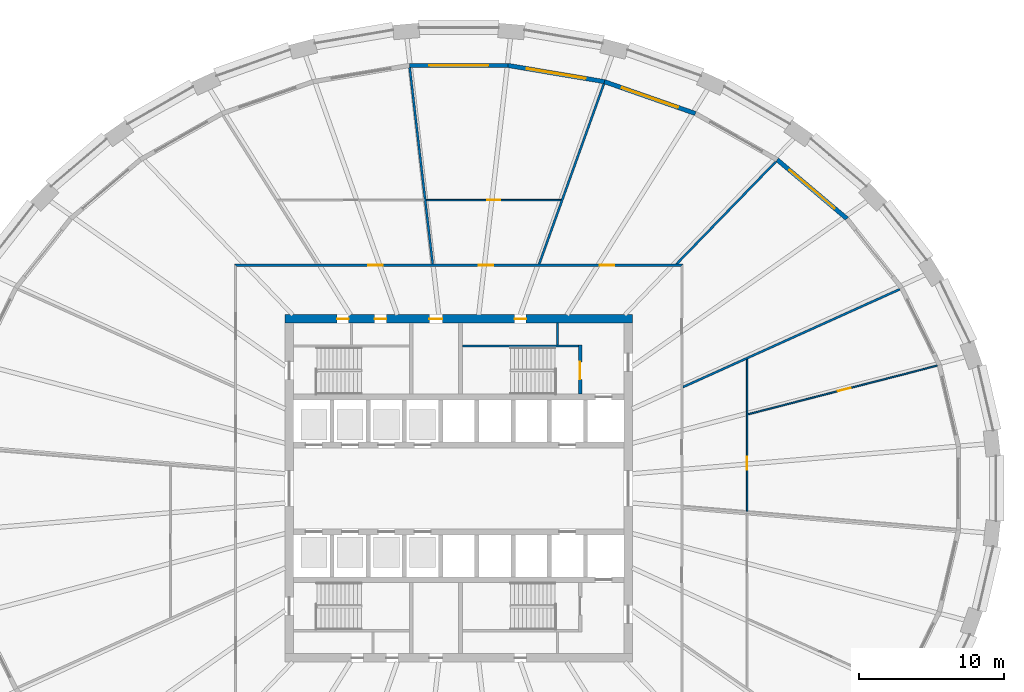
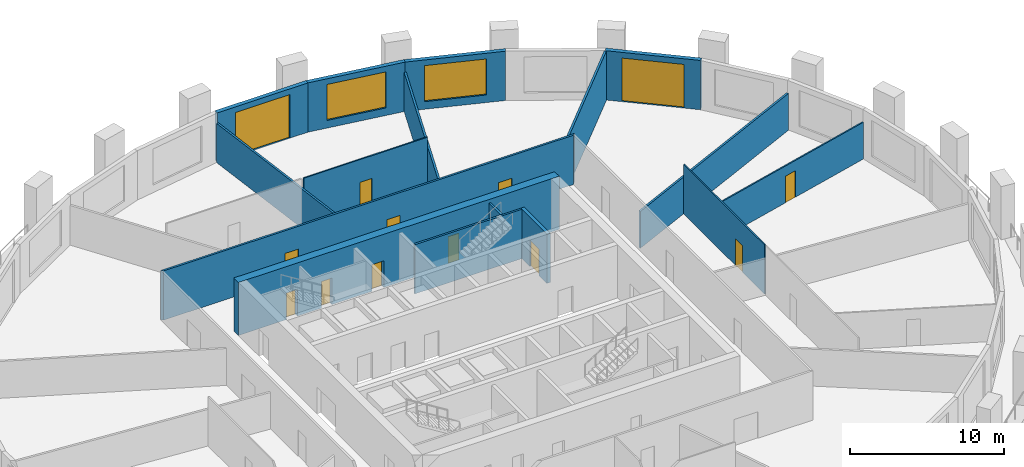
# One storey, part 6 of 10: 16 walls, 13 doors, 2 windows, 15 openings.
"""IFC4 building model written with IfcOpenShell, lengths in metres."""

from ifc_helpers import new_model, si_unit, direction, frame, frame_2d, origin, place, context, subcontext, project, spatial, polyline, rectangle, outline, extrude, material, layer, layer_set, type_object, element, fill, save


model = new_model("IFC4")

# Units and contexts
model_context = context("Model", 3, precision=1e-05, world=origin(), true_north=direction((0.0, 1.0)))
body_context = subcontext(model_context, "Body", "Model", "MODEL_VIEW")
ifc_project = project(units=[si_unit("LENGTHUNIT", "METRE"), si_unit("AREAUNIT", "SQUARE_METRE"), si_unit("VOLUMEUNIT", "CUBIC_METRE"), si_unit("PLANEANGLEUNIT", "RADIAN"), si_unit("MASSUNIT", "GRAM", prefix="KILO")], contexts=[model_context])

# Site, building, storey
site_placement = place(None, origin())
site = spatial("IfcSite", under=ifc_project, at=site_placement, CompositionType="ELEMENT")
building_placement = place(site_placement, origin())
building = spatial("IfcBuilding", under=site, at=building_placement, Name="Halqa Exchange Tower", CompositionType="ELEMENT")
storey_placement = place(building_placement, frame((0.0, 0.0, 57.10009765625)))
storey = spatial("IfcBuildingStorey", under=building, at=storey_placement, Name="L12", CompositionType="ELEMENT", Elevation=57.10009765625)

# Wall, openings, doors
ifc_material_1 = material(Name="Fire-rated gypsum board")
ifc_layer_1 = layer(ifc_material_1, 0.14990234375)
ifc_layer_set_1 = layer_set([ifc_layer_1], Name="Fire-rated gypsum board")
wall_type_1 = type_object("IfcWallType", Name="Fire partition EI 60 150", PredefinedType="PARTITIONING", material=ifc_layer_set_1)
wall_1_placement = place(storey_placement, frame((-15.47509765625, 15.39990234375, 0.0), z_axis=(0.0, 0.0, 1.0), x_axis=(1.0, 0.0, 0.0)))
wall_1 = element("IfcWall", 1, at=wall_1_placement, inside=storey, type_object=wall_type_1, Name="L12-PWL-009", PredefinedType="PARTITIONING", context=body_context, shape_type="SweptSolid", body=[
    extrude(outline(polyline([(0.150146484375, -0.074951171875), (2.065673828125, -0.074951171875), (3.9814453125, -0.074951171875), (5.89697265625, -0.074951171875), (7.8125, -0.074951171875), (9.728271484375, -0.074951171875), (11.643798828125, -0.074951171875), (13.5595703125, -0.074951171875), (15.47509765625, -0.074951171875), (17.390625, -0.074951171875), (19.306396484375, -0.074951171875), (21.221923828125, -0.074951171875), (23.1376953125, -0.074951171875), (25.05322265625, -0.074951171875), (26.96875, -0.074951171875), (28.884521484375, -0.074951171875), (30.800048828125, -0.074951171875), (30.949951171875, 0.074951171875), (29.015625, 0.074951171875), (27.081298828125, 0.074951171875), (25.14697265625, 0.074951171875), (23.21240234375, 0.074951171875), (21.278076171875, 0.074951171875), (19.34375, 0.074951171875), (17.409423828125, 0.074951171875), (15.47509765625, 0.074951171875), (13.540771484375, 0.074951171875), (11.6064453125, 0.074951171875), (9.672119140625, 0.074951171875), (7.73779296875, 0.074951171875), (5.80322265625, 0.074951171875), (3.868896484375, 0.074951171875), (1.9345703125, 0.074951171875), (0.000244140625, 0.074951171875), (0.150146484375, -0.074951171875)])), origin(), (0.0, 0.0, 1.0), 3.89990234375),
])
opening_1_placement = place(wall_1_placement, frame((16.840087890625, 0.0, 0.0)))
opening_1 = element("IfcOpeningElement", 2, at=opening_1_placement, cuts=wall_1, Name="Opening 03-01", PredefinedType="OPENING", context=body_context, shape_type="SweptSolid", body=[
    extrude(rectangle(XDim=1.0, YDim=2.10009765625, at=frame_2d((0.5, 1.050048828125))), frame((0.0, 0.0869140625, 0.0), z_axis=(0.0, -1.0, 0.0), x_axis=(1.0, 0.0, 0.0)), (0.0, 0.0, 1.0), 0.173828125),
])
opening_2_placement = place(wall_1_placement, frame((9.215087890625, 0.0, 0.0)))
opening_2 = element("IfcOpeningElement", 3, at=opening_2_placement, cuts=wall_1, Name="Opening 03-02", PredefinedType="OPENING", context=body_context, shape_type="SweptSolid", body=[
    extrude(rectangle(XDim=1.0, YDim=2.10009765625, at=frame_2d((0.5, 1.050048828125))), frame((0.0, 0.0869140625, 0.0), z_axis=(0.0, -1.0, 0.0), x_axis=(1.0, 0.0, 0.0)), (0.0, 0.0, 1.0), 0.173828125),
])
opening_3_placement = place(wall_1_placement, frame((25.2099609375, 0.0, 0.0)))
opening_3 = element("IfcOpeningElement", 4, at=opening_3_placement, cuts=wall_1, Name="Opening 03-13", PredefinedType="OPENING", context=body_context, shape_type="SweptSolid", body=[
    extrude(rectangle(XDim=1.0, YDim=2.10009765625, at=frame_2d((0.5, 1.050048828125))), frame((0.0, 0.0869140625, 0.0), z_axis=(0.0, -1.0, 0.0), x_axis=(1.0, 0.0, 0.0)), (0.0, 0.0, 1.0), 0.173828125),
])
ifc_material_2 = material(Name="Steel fire door leaf", Category="steel")
door_type_1 = type_object("IfcDoorType", Name="Fire door FD30S 1000 x 2100", OperationType="SINGLE_SWING_LEFT", PredefinedType="DOOR", material=ifc_material_2)
door_1_placement = place(opening_1_placement, origin())
door_1 = element("IfcDoor", 5, at=door_1_placement, inside=storey, type_object=door_type_1, Name="L12-IDR-001", OperationType="SINGLE_SWING_RIGHT", OverallHeight=2.10009765625, OverallWidth=1.0, PredefinedType="DOOR", context=body_context, shape_type="SweptSolid", body=[
    extrude(rectangle(XDim=1.0, YDim=2.10009765625, at=frame_2d((0.5, 1.050048828125))), frame((0.0, 0.02490234375, 0.0), z_axis=(0.0, -1.0, 0.0), x_axis=(1.0, 0.0, 0.0)), (0.0, 0.0, 1.0), 0.050048828125),
])
fill(opening_1, door_1)
door_2_placement = place(opening_2_placement, origin())
door_2 = element("IfcDoor", 6, at=door_2_placement, inside=storey, type_object=door_type_1, Name="L12-IDR-002", OperationType="SINGLE_SWING_RIGHT", OverallHeight=2.10009765625, OverallWidth=1.0, PredefinedType="DOOR", context=body_context, shape_type="SweptSolid", body=[
    extrude(rectangle(XDim=1.0, YDim=2.10009765625, at=frame_2d((0.5, 1.050048828125))), frame((0.0, 0.02490234375, 0.0), z_axis=(0.0, -1.0, 0.0), x_axis=(1.0, 0.0, 0.0)), (0.0, 0.0, 1.0), 0.050048828125),
])
fill(opening_2, door_2)
door_3_placement = place(opening_3_placement, origin())
door_3 = element("IfcDoor", 7, at=door_3_placement, inside=storey, type_object=door_type_1, Name="L12-IDR-013", OperationType="SINGLE_SWING_LEFT", OverallHeight=2.10009765625, OverallWidth=1.0, PredefinedType="DOOR", context=body_context, shape_type="SweptSolid", body=[
    extrude(rectangle(XDim=1.0, YDim=2.10009765625, at=frame_2d((0.5, 1.050048828125))), frame((0.0, 0.02490234375, 0.0), z_axis=(0.0, -1.0, 0.0), x_axis=(1.0, 0.0, 0.0)), (0.0, 0.0, 1.0), 0.050048828125),
])
fill(opening_3, door_3)

# Walls
wall_2_placement = place(storey_placement, frame((-3.385009765625, 29.0400390625, 0.0), z_axis=(0.0, 0.0, 1.0), x_axis=(0.116139488934, -0.993232912821, 0.0)))
element("IfcWall", 8, at=wall_2_placement, inside=storey, type_object=wall_type_1, Name="L12-PWL-012", PredefinedType="PARTITIONING", context=body_context, shape_type="SweptSolid", body=[
    extrude(outline(polyline([(0.0, -0.074951171875), (1.82861328125, -0.074951171875), (3.6572265625, -0.074951171875), (5.48583984375, -0.074951171875), (7.314453125, -0.074951171875), (9.143310546875, -0.074951171875), (9.14453125, -0.0634765625), (9.24267578125, -0.074951171875), (10.71142578125, -0.074951171875), (12.18017578125, -0.074951171875), (13.648681640625, -0.074951171875), (13.666015625, 0.0732421875), (13.666015625, 0.074951171875), (12.19775390625, 0.074951171875), (10.729736328125, 0.074951171875), (9.261474609375, 0.074951171875), (9.261474609375, 0.074951171875), (9.260986328125, 0.074951171875), (7.40966796875, 0.074951171875), (5.558349609375, 0.074951171875), (3.70703125, 0.074951171875), (1.855712890625, 0.074951171875), (0.00439453125, 0.074951171875), (0.0, 0.038330078125), (0.0, -0.074951171875)])), origin(), (0.0, 0.0, 1.0), 3.099853515625),
])
wall_3_placement = place(storey_placement, frame((5.537841796875, 15.449951171875, 0.0), z_axis=(0.0, 0.0, 1.0), x_axis=(0.337991057854, 0.941149321208, 0.0)))
element("IfcWall", 9, at=wall_3_placement, inside=storey, type_object=wall_type_1, Name="L12-PWL-016", PredefinedType="PARTITIONING", context=body_context, shape_type="SweptSolid", body=[
    extrude(outline(polyline([(13.259033203125, -0.074951171875), (13.259033203125, -0.040771484375), (13.2587890625, -0.000244140625), (13.2451171875, 0.074951171875), (11.546875, 0.074951171875), (9.8486328125, 0.074951171875), (8.150146484375, 0.074951171875), (6.451904296875, 0.074951171875), (4.753662109375, 0.074951171875), (4.660400390625, 0.04150390625), (4.648193359375, 0.074951171875), (3.098876953125, 0.074951171875), (1.54931640625, 0.074951171875), (0.0, 0.074951171875), (0.0, 0.07421875), (0.053466796875, -0.074951171875), (1.93994140625, -0.074951171875), (3.826416015625, -0.074951171875), (5.713134765625, -0.074951171875), (7.599609375, -0.074951171875), (9.486083984375, -0.074951171875), (11.37255859375, -0.074951171875), (13.259033203125, -0.074951171875)])), origin(), (0.0, 0.0, 1.0), 3.10986328125),
])
wall_4_placement = place(storey_placement, frame((14.972412109375, 15.423095703125, 0.0), z_axis=(0.0, 0.0, 1.0), x_axis=(0.696324469813, 0.717727129722, 0.0)))
element("IfcWall", 10, at=wall_4_placement, inside=storey, type_object=wall_type_1, Name="L12-PWL-017", PredefinedType="PARTITIONING", context=body_context, shape_type="SweptSolid", body=[
    extrude(outline(polyline([(0.0, 0.074951171875), (0.0, 0.074462890625), (0.14501953125, -0.074951171875), (2.100830078125, -0.074951171875), (4.056640625, -0.074951171875), (6.012451171875, -0.074951171875), (7.96826171875, -0.074951171875), (9.924072265625, -0.074951171875), (9.924072265625, 0.074951171875), (7.939208984375, 0.074951171875), (5.954345703125, 0.074951171875), (3.9697265625, 0.074951171875), (1.98486328125, 0.074951171875), (0.0, 0.074951171875)])), origin(), (0.0, 0.0, 1.0), 3.89990234375),
])
wall_5_placement = place(storey_placement, frame((15.444091796875, 6.97998046875, 0.0), z_axis=(0.0, 0.0, 1.0), x_axis=(0.911545333682, 0.411199592221, 0.0)))
element("IfcWall", 11, at=wall_5_placement, inside=storey, type_object=wall_type_1, Name="L12-PWL-021", PredefinedType="PARTITIONING", context=body_context, shape_type="SweptSolid", body=[
    extrude(outline(polyline([(0.0, -0.074951171875), (1.599853515625, -0.074951171875), (3.19970703125, -0.074951171875), (4.799560546875, -0.074951171875), (4.800537109375, -0.072998046875), (4.80517578125, -0.074951171875), (6.747314453125, -0.074951171875), (8.689697265625, -0.074951171875), (10.632080078125, -0.074951171875), (12.574462890625, -0.074951171875), (14.516845703125, -0.074951171875), (16.459228515625, -0.074951171875), (16.459228515625, -0.072021484375), (16.45654296875, 0.01171875), (16.44091796875, 0.074951171875), (14.62158203125, 0.074951171875), (12.80224609375, 0.074951171875), (10.983154296875, 0.074951171875), (9.163818359375, 0.074951171875), (7.3447265625, 0.074951171875), (5.525390625, 0.074951171875), (3.706298828125, 0.074951171875), (1.886962890625, 0.074951171875), (0.067626953125, 0.074951171875), (0.0, -0.074951171875)])), origin(), (0.0, 0.0, 1.0), 2.909912109375),
])

# Wall, opening, door
ifc_material_3 = material(Name="Gypsum board")
ifc_layer_2 = layer(ifc_material_3, 0.10009765625)
ifc_layer_set_2 = layer_set([ifc_layer_2], Name="Gypsum board")
wall_type_2 = type_object("IfcWallType", Name="Partition 100 gypsum", PredefinedType="PARTITIONING", material=ifc_layer_set_2)
wall_6_placement = place(storey_placement, frame((-2.24658203125, 19.89990234375, 0.0), z_axis=(0.0, 0.0, 1.0), x_axis=(1.0, 0.0, 0.0)))
wall_6 = element("IfcWall", 12, at=wall_6_placement, inside=storey, type_object=wall_type_2, Name="L12-PWL-013", PredefinedType="PARTITIONING", context=body_context, shape_type="SweptSolid", body=[
    extrude(outline(polyline([(0.01171875, -0.050048828125), (1.866455078125, -0.050048828125), (3.720947265625, -0.050048828125), (5.57568359375, -0.050048828125), (7.43017578125, -0.050048828125), (9.284912109375, -0.050048828125), (9.320556640625, 0.04931640625), (9.320556640625, 0.050048828125), (7.45654296875, 0.050048828125), (5.59228515625, 0.050048828125), (3.728271484375, 0.050048828125), (1.864013671875, 0.050048828125), (0.0, 0.050048828125), (0.01171875, -0.050048828125)])), origin(), (0.0, 0.0, 1.0), 3.89990234375),
])
opening_4_placement = place(wall_6_placement, frame((4.20654296875, 0.0, 0.0)))
opening_4 = element("IfcOpeningElement", 13, at=opening_4_placement, cuts=wall_6, Name="Opening 03-14", PredefinedType="OPENING", context=body_context, shape_type="SweptSolid", body=[
    extrude(rectangle(XDim=0.89990234375, YDim=2.10009765625, at=frame_2d((0.449951171875, 1.050048828125))), frame((0.0, 0.06201171875, 0.0), z_axis=(0.0, -1.0, 0.0), x_axis=(1.0, 0.0, 0.0)), (0.0, 0.0, 1.0), 0.1240234375),
])
ifc_material_4 = material(Name="Timber door leaf", Category="wood")
door_type_2 = type_object("IfcDoorType", Name="Door 900 x 2100", OperationType="SINGLE_SWING_LEFT", PredefinedType="DOOR", material=ifc_material_4)
door_4_placement = place(opening_4_placement, frame((0.89990234375, 0.0, 0.0), z_axis=(0.0, 0.0, 1.0), x_axis=(-1.0, 0.0, 0.0)))
door_4 = element("IfcDoor", 14, at=door_4_placement, inside=storey, type_object=door_type_2, Name="L12-IDR-014", OperationType="SINGLE_SWING_LEFT", OverallHeight=2.10009765625, OverallWidth=0.89990234375, PredefinedType="DOOR", context=body_context, shape_type="SweptSolid", body=[
    extrude(rectangle(XDim=0.89990234375, YDim=2.10009765625, at=frame_2d((0.449951171875, 1.050048828125))), frame((0.0, 0.02490234375, 0.0), z_axis=(0.0, -1.0, 0.0), x_axis=(1.0, 0.0, 0.0)), (0.0, 0.0, 1.0), 0.050048828125),
])
fill(opening_4, door_4)

wall_7_placement = place(storey_placement, frame((19.89990234375, -1.5849609375, 0.0), z_axis=(0.0, 0.0, 1.0), x_axis=(0.0, 1.0, 0.0)))
wall_7 = element("IfcWall", 15, at=wall_7_placement, inside=storey, type_object=wall_type_2, Name="L12-PWL-024", PredefinedType="PARTITIONING", context=body_context, shape_type="SweptSolid", body=[
    extrude(outline(polyline([(0.0, -0.050048828125), (1.685546875, -0.050048828125), (3.370849609375, -0.050048828125), (5.056396484375, -0.050048828125), (6.74169921875, -0.050048828125), (6.7490234375, -0.048095703125), (6.74951171875, -0.050048828125), (8.632080078125, -0.050048828125), (10.514892578125, -0.050048828125), (10.514892578125, -0.04931640625), (10.469970703125, 0.050048828125), (8.726318359375, 0.050048828125), (6.982666015625, 0.050048828125), (5.239013671875, 0.050048828125), (3.495361328125, 0.050048828125), (1.751708984375, 0.050048828125), (0.008056640625, 0.050048828125), (0.0, -0.045654296875), (0.0, -0.050048828125)])), origin(), (0.0, 0.0, 1.0), 3.89990234375),
])
opening_5_placement = place(wall_7_placement, frame((2.85498046875, 0.0, 0.0)))
opening_5 = element("IfcOpeningElement", 16, at=opening_5_placement, cuts=wall_7, Name="Opening 03-20", PredefinedType="OPENING", context=body_context, shape_type="SweptSolid", body=[
    extrude(rectangle(XDim=0.89990234375, YDim=2.10009765625, at=frame_2d((0.449951171875, 1.050048828125))), frame((0.0, 0.06201171875, 0.0), z_axis=(0.0, -1.0, 0.0), x_axis=(1.0, 0.0, 0.0)), (0.0, 0.0, 1.0), 0.1240234375),
])
door_5_placement = place(opening_5_placement, origin())
door_5 = element("IfcDoor", 17, at=door_5_placement, inside=storey, type_object=door_type_2, Name="L12-IDR-020", OperationType="SINGLE_SWING_RIGHT", OverallHeight=2.10009765625, OverallWidth=0.89990234375, PredefinedType="DOOR", context=body_context, shape_type="SweptSolid", body=[
    extrude(rectangle(XDim=0.89990234375, YDim=2.10009765625, at=frame_2d((0.449951171875, 1.050048828125))), frame((0.0, 0.02490234375, 0.0), z_axis=(0.0, -1.0, 0.0), x_axis=(1.0, 0.0, 0.0)), (0.0, 0.0, 1.0), 0.050048828125),
])
fill(opening_5, door_5)

wall_8_placement = place(storey_placement, frame((19.937744140625, 5.109619140625, 0.0), z_axis=(0.0, 0.0, 1.0), x_axis=(0.968505877435, 0.248990693348, 0.0)))
wall_8 = element("IfcWall", 18, at=wall_8_placement, inside=storey, type_object=wall_type_2, Name="L12-PWL-025", PredefinedType="PARTITIONING", context=body_context, shape_type="SweptSolid", body=[
    extrude(outline(polyline([(13.515380859375, -0.050048828125), (13.515380859375, 0.00341796875), (13.505615234375, 0.050048828125), (11.580078125, 0.050048828125), (9.654296875, 0.050048828125), (7.728515625, 0.050048828125), (5.802734375, 0.050048828125), (3.876953125, 0.050048828125), (1.951171875, 0.050048828125), (0.025634765625, 0.050048828125), (0.0, -0.04931640625), (0.0, -0.050048828125), (1.9306640625, -0.050048828125), (3.861572265625, -0.050048828125), (5.792236328125, -0.050048828125), (7.72314453125, -0.050048828125), (9.65380859375, -0.050048828125), (11.584716796875, -0.050048828125), (13.515380859375, -0.050048828125)])), origin(), (0.0, 0.0, 1.0), 2.909912109375),
])
opening_6_placement = place(wall_8_placement, frame((6.439208984375, 0.0, 0.0)))
opening_6 = element("IfcOpeningElement", 19, at=opening_6_placement, cuts=wall_8, Name="Opening 03-21", PredefinedType="OPENING", context=body_context, shape_type="SweptSolid", body=[
    extrude(rectangle(XDim=0.89990234375, YDim=2.10009765625, at=frame_2d((0.449951171875, 1.050048828125))), frame((0.0, 0.06201171875, 0.0), z_axis=(0.0, -1.0, 0.0), x_axis=(1.0, 0.0, 0.0)), (0.0, 0.0, 1.0), 0.1240234375),
])
door_6_placement = place(opening_6_placement, origin())
door_6 = element("IfcDoor", 20, at=door_6_placement, inside=storey, type_object=door_type_2, Name="L12-IDR-021", OperationType="SINGLE_SWING_RIGHT", OverallHeight=2.10009765625, OverallWidth=0.89990234375, PredefinedType="DOOR", context=body_context, shape_type="SweptSolid", body=[
    extrude(rectangle(XDim=0.89990234375, YDim=2.10009765625, at=frame_2d((0.449951171875, 1.050048828125))), frame((0.0, 0.02490234375, 0.0), z_axis=(0.0, -1.0, 0.0), x_axis=(1.0, 0.0, 0.0)), (0.0, 0.0, 1.0), 0.050048828125),
])
fill(opening_6, door_6)

# Wall
ifc_layer_3 = layer(ifc_material_3, 0.14990234375)
ifc_layer_set_3 = layer_set([ifc_layer_3], Name="Gypsum board")
wall_type_3 = type_object("IfcWallType", Name="Penthouse riser wall 150 gypsum", PredefinedType="PARTITIONING", material=ifc_layer_set_3)
wall_9_placement = place(storey_placement, frame((6.824951171875, 9.89990234375, 0.0), z_axis=(0.0, 0.0, 1.0), x_axis=(0.0, 1.0, 0.0)))
element("IfcWall", 21, at=wall_9_placement, inside=storey, type_object=wall_type_3, Name="Firefighting lobby west wall N", PredefinedType="PARTITIONING", context=body_context, shape_type="SweptSolid", body=[
    extrude(rectangle(XDim=1.5, YDim=0.14990234375, at=frame_2d((0.75, 0.0))), origin(), (0.0, 0.0, 1.0), 3.89990234375),
])

# Wall, openings, doors
ifc_material_5 = material(Name="Concrete C80/95", Category="concrete")
ifc_layer_4 = layer(ifc_material_5, 0.60009765625)
ifc_layer_set_4 = layer_set([ifc_layer_4], Name="Concrete C80/95")
wall_type_4 = type_object("IfcWallType", Name="RC core wall 600 C80/95", PredefinedType="SHEAR", material=ifc_layer_set_4)
wall_10_placement = place(storey_placement, frame((-12.0, 11.699951171875, 0.0), z_axis=(0.0, 0.0, 1.0), x_axis=(1.0, 0.0, 0.0)))
wall_10 = element("IfcWall", 22, at=wall_10_placement, inside=storey, type_object=wall_type_4, Name="Core wall north", PredefinedType="SHEAR", context=body_context, shape_type="SweptSolid", body=[
    extrude(rectangle(XDim=24.0, YDim=0.60009765625, at=frame_2d((12.0, 0.0))), origin(), (0.0, 0.0, 1.0), 4.199951171875),
])
opening_7_placement = place(wall_10_placement, frame((9.97509765625, 0.0, 0.0)))
opening_7 = element("IfcOpeningElement", 23, at=opening_7_placement, cuts=wall_10, Name="Opening T03-C21", PredefinedType="OPENING", context=body_context, shape_type="SweptSolid", body=[
    extrude(rectangle(XDim=0.89990234375, YDim=2.10009765625, at=frame_2d((0.449951171875, 1.050048828125))), frame((0.0, 0.31201171875, 0.0), z_axis=(0.0, -1.0, 0.0), x_axis=(1.0, 0.0, 0.0)), (0.0, 0.0, 1.0), 0.6240234375),
])
opening_8_placement = place(wall_10_placement, frame((3.60009765625, 0.0, 0.0)))
opening_8 = element("IfcOpeningElement", 24, at=opening_8_placement, cuts=wall_10, Name="Opening T03-C22", PredefinedType="OPENING", context=body_context, shape_type="SweptSolid", body=[
    extrude(rectangle(XDim=0.800048828125, YDim=2.10009765625, at=frame_2d((0.39990234375, 1.050048828125))), frame((0.0, 0.31201171875, 0.0), z_axis=(0.0, -1.0, 0.0), x_axis=(1.0, 0.0, 0.0)), (0.0, 0.0, 1.0), 0.6240234375),
])
opening_9_placement = place(wall_10_placement, frame((6.199951171875, 0.0, 0.0)))
opening_9 = element("IfcOpeningElement", 25, at=opening_9_placement, cuts=wall_10, Name="Opening T03-C23", PredefinedType="OPENING", context=body_context, shape_type="SweptSolid", body=[
    extrude(rectangle(XDim=0.800048828125, YDim=2.10009765625, at=frame_2d((0.39990234375, 1.050048828125))), frame((0.0, 0.31201171875, 0.0), z_axis=(0.0, -1.0, 0.0), x_axis=(1.0, 0.0, 0.0)), (0.0, 0.0, 1.0), 0.6240234375),
])
opening_10_placement = place(wall_10_placement, frame((15.85009765625, 0.0, 0.0)))
opening_10 = element("IfcOpeningElement", 26, at=opening_10_placement, cuts=wall_10, Name="Opening T03-C24", PredefinedType="OPENING", context=body_context, shape_type="SweptSolid", body=[
    extrude(rectangle(XDim=0.800048828125, YDim=2.10009765625, at=frame_2d((0.39990234375, 1.050048828125))), frame((0.0, 0.31201171875, 0.0), z_axis=(0.0, -1.0, 0.0), x_axis=(1.0, 0.0, 0.0)), (0.0, 0.0, 1.0), 0.6240234375),
])
ifc_material_6 = material(Name="Timber fire door leaf", Category="wood")
door_type_3 = type_object("IfcDoorType", Name="Core room door FD30 900 x 2100", OperationType="SINGLE_SWING_LEFT", PredefinedType="DOOR", material=ifc_material_6)
door_7_placement = place(opening_7_placement, frame((0.89990234375, 0.0, 0.0), z_axis=(0.0, 0.0, 1.0), x_axis=(-1.0, 0.0, 0.0)))
door_7 = element("IfcDoor", 27, at=door_7_placement, inside=storey, type_object=door_type_3, Name="Core room door", OperationType="SINGLE_SWING_LEFT", OverallHeight=2.10009765625, OverallWidth=0.89990234375, PredefinedType="DOOR", context=body_context, shape_type="SweptSolid", body=[
    extrude(rectangle(XDim=0.89990234375, YDim=2.10009765625, at=frame_2d((0.449951171875, 1.050048828125))), frame((0.0, 0.02490234375, 0.0), z_axis=(0.0, -1.0, 0.0), x_axis=(1.0, 0.0, 0.0)), (0.0, 0.0, 1.0), 0.050048828125),
])
fill(opening_7, door_7)
door_type_4 = type_object("IfcDoorType", Name="Riser door FD60 800 x 2100", OperationType="SINGLE_SWING_LEFT", PredefinedType="DOOR", material=ifc_material_2)
door_8_placement = place(opening_8_placement, frame((0.800048828125, 0.0, 0.0), z_axis=(0.0, 0.0, 1.0), x_axis=(-1.0, 0.0, 0.0)))
door_8 = element("IfcDoor", 28, at=door_8_placement, inside=storey, type_object=door_type_4, Name="Core room door", OperationType="SINGLE_SWING_RIGHT", OverallHeight=2.10009765625, OverallWidth=0.800048828125, PredefinedType="DOOR", context=body_context, shape_type="SweptSolid", body=[
    extrude(rectangle(XDim=0.800048828125, YDim=2.10009765625, at=frame_2d((0.39990234375, 1.050048828125))), frame((0.0, 0.02490234375, 0.0), z_axis=(0.0, -1.0, 0.0), x_axis=(1.0, 0.0, 0.0)), (0.0, 0.0, 1.0), 0.050048828125),
])
fill(opening_8, door_8)
door_9_placement = place(opening_9_placement, frame((0.800048828125, 0.0, 0.0), z_axis=(0.0, 0.0, 1.0), x_axis=(-1.0, 0.0, 0.0)))
door_9 = element("IfcDoor", 29, at=door_9_placement, inside=storey, type_object=door_type_4, Name="Core room door", OperationType="SINGLE_SWING_LEFT", OverallHeight=2.10009765625, OverallWidth=0.800048828125, PredefinedType="DOOR", context=body_context, shape_type="SweptSolid", body=[
    extrude(rectangle(XDim=0.800048828125, YDim=2.10009765625, at=frame_2d((0.39990234375, 1.050048828125))), frame((0.0, 0.02490234375, 0.0), z_axis=(0.0, -1.0, 0.0), x_axis=(1.0, 0.0, 0.0)), (0.0, 0.0, 1.0), 0.050048828125),
])
fill(opening_9, door_9)
door_10_placement = place(opening_10_placement, frame((0.800048828125, 0.0, 0.0), z_axis=(0.0, 0.0, 1.0), x_axis=(-1.0, 0.0, 0.0)))
door_10 = element("IfcDoor", 30, at=door_10_placement, inside=storey, type_object=door_type_4, Name="Core room door", OperationType="SINGLE_SWING_RIGHT", OverallHeight=2.10009765625, OverallWidth=0.800048828125, PredefinedType="DOOR", context=body_context, shape_type="SweptSolid", body=[
    extrude(rectangle(XDim=0.800048828125, YDim=2.10009765625, at=frame_2d((0.39990234375, 1.050048828125))), frame((0.0, 0.02490234375, 0.0), z_axis=(0.0, -1.0, 0.0), x_axis=(1.0, 0.0, 0.0)), (0.0, 0.0, 1.0), 0.050048828125),
])
fill(opening_10, door_10)

# Wall
ifc_material_7 = material(Name="Concrete C30/37", Category="concrete")
ifc_layer_5 = layer(ifc_material_7, 0.14990234375)
ifc_layer_set_5 = layer_set([ifc_layer_5], Name="Concrete C30/37")
wall_type_5 = type_object("IfcWallType", Name="RC stair wall 150 C30/37", PredefinedType="SHEAR", material=ifc_layer_set_5)
wall_11_placement = place(storey_placement, frame((0.25, 9.824951171875, 0.0), z_axis=(0.0, 0.0, 1.0), x_axis=(1.0, 0.0, 0.0)))
element("IfcWall", 31, at=wall_11_placement, inside=storey, type_object=wall_type_5, Name="Stair ST2 north wall N", PredefinedType="SHEAR", context=body_context, shape_type="SweptSolid", body=[
    extrude(rectangle(XDim=8.0, YDim=0.14990234375, at=frame_2d((4.0, 0.0))), origin(), (0.0, 0.0, 1.0), 3.89990234375),
])

# Wall, opening, door
ifc_layer_6 = layer(ifc_material_7, 0.25)
ifc_layer_set_6 = layer_set([ifc_layer_6], Name="Concrete C30/37")
wall_type_6 = type_object("IfcWallType", Name="RC stair wall 250 C30/37", PredefinedType="SHEAR", material=ifc_layer_set_6)
wall_12_placement = place(storey_placement, frame((8.375, 6.5, 0.0), z_axis=(0.0, 0.0, 1.0), x_axis=(0.0, 1.0, 0.0)))
wall_12 = element("IfcWall", 32, at=wall_12_placement, inside=storey, type_object=wall_type_6, Name="Stair ST2 east wall N", PredefinedType="SHEAR", context=body_context, shape_type="SweptSolid", body=[
    extrude(rectangle(XDim=3.39990234375, YDim=0.25, at=frame_2d((1.699951171875, 0.0))), origin(), (0.0, 0.0, 1.0), 3.89990234375),
])
opening_11_placement = place(wall_12_placement, frame((1.02490234375, 0.0, 0.0)))
opening_11 = element("IfcOpeningElement", 33, at=opening_11_placement, cuts=wall_12, Name="Opening T03-C16", PredefinedType="OPENING", context=body_context, shape_type="SweptSolid", body=[
    extrude(rectangle(XDim=1.199951171875, YDim=2.10009765625, at=frame_2d((0.60009765625, 1.050048828125))), frame((0.0, 0.136962890625, 0.0), z_axis=(0.0, -1.0, 0.0), x_axis=(1.0, 0.0, 0.0)), (0.0, 0.0, 1.0), 0.27392578125),
])
door_type_5 = type_object("IfcDoorType", Name="Stair door FD90 1200 x 2100", OperationType="SINGLE_SWING_LEFT", PredefinedType="DOOR", material=ifc_material_2)
door_11_placement = place(opening_11_placement, origin())
door_11 = element("IfcDoor", 34, at=door_11_placement, inside=storey, type_object=door_type_5, Name="Stair door ST2", OperationType="SINGLE_SWING_RIGHT", OverallHeight=2.10009765625, OverallWidth=1.199951171875, PredefinedType="DOOR", context=body_context, shape_type="SweptSolid", body=[
    extrude(rectangle(XDim=1.199951171875, YDim=2.10009765625, at=frame_2d((0.60009765625, 1.050048828125))), frame((0.0, 0.02490234375, 0.0), z_axis=(0.0, -1.0, 0.0), x_axis=(1.0, 0.0, 0.0)), (0.0, 0.0, 1.0), 0.050048828125),
])
fill(opening_11, door_11)

ifc_material_8 = material(Name="Limestone cladding", Category="masonry")
ifc_layer_7 = layer(ifc_material_8, 0.0400390625)
ifc_material_9 = material(Name="Ventilated cavity")
ifc_layer_8 = layer(ifc_material_9, 0.030029296875, ventilated=True)
ifc_material_10 = material(Name="Mineral wool insulation")
ifc_layer_9 = layer(ifc_material_10, 0.10009765625)
ifc_layer_10 = layer(ifc_material_7, 0.10009765625)
ifc_material_11 = material(Name="Internal plaster")
ifc_layer_11 = layer(ifc_material_11, 0.030029296875)
ifc_layer_set_7 = layer_set([ifc_layer_7, ifc_layer_8, ifc_layer_9, ifc_layer_10, ifc_layer_11], Name="Stone-faced insulated wall 300")
wall_type_7 = type_object("IfcWallType", Name="Stone-faced insulated wall 300", PredefinedType="STANDARD", material=ifc_layer_set_7)
wall_13_placement = place(storey_placement, frame((26.78955078125, 18.61962890625, 0.0), z_axis=(0.0, 0.0, 1.0), x_axis=(-0.763614259808, 0.645672720671, 0.0)))
wall_13 = element("IfcWall", 35, at=wall_13_placement, inside=storey, type_object=wall_type_7, Name="Glass-line wall 4", PredefinedType="STANDARD", context=body_context, shape_type="SweptSolid", body=[
    extrude(outline(polyline([(-0.01513671875, -0.14990234375), (6.30908203125, -0.14990234375), (6.28076171875, 0.14990234375), (0.01513671875, 0.14990234375), (-0.01513671875, -0.14990234375)])), origin(), (0.0, 0.0, 1.0), 3.89990234375),
])
opening_12_placement = place(wall_13_placement, frame((1.097412109375, 0.0, 0.0)))
opening_12 = element("IfcOpeningElement", 36, at=opening_12_placement, cuts=wall_13, Name="Opening LG-F1-01", PredefinedType="OPENING", context=body_context, shape_type="SweptSolid", body=[
    extrude(rectangle(XDim=4.10009765625, YDim=3.449951171875, at=frame_2d((2.050048828125, 1.72509765625))), frame((0.0, 0.162109375, 0.0), z_axis=(0.0, -1.0, 0.0), x_axis=(1.0, 0.0, 0.0)), (0.0, 0.0, 1.0), 0.323974609375),
])
ifc_material_12 = material(Name="Clear low-emissivity glass in aluminium frame", Category="aluminium")
door_type_6 = type_object("IfcDoorType", Name="Glazed sliding loggia door 4100 x 3450", OperationType="DOUBLE_DOOR_SLIDING", PredefinedType="DOOR", material=ifc_material_12)
door_12_placement = place(opening_12_placement, origin())
door_12 = element("IfcDoor", 37, at=door_12_placement, inside=storey, type_object=door_type_6, Name="Loggia door 1", OperationType="DOUBLE_DOOR_SLIDING", OverallHeight=3.449951171875, OverallWidth=4.10009765625, PredefinedType="DOOR", context=body_context, shape_type="SweptSolid", body=[
    extrude(rectangle(XDim=4.10009765625, YDim=3.449951171875, at=frame_2d((2.050048828125, 1.72509765625))), frame((0.0, 0.02490234375, 0.0), z_axis=(0.0, -1.0, 0.0), x_axis=(1.0, 0.0, 0.0)), (0.0, 0.0, 1.0), 0.050048828125),
])
fill(opening_12, door_12)

# Wall, opening, window
wall_14_placement = place(storey_placement, frame((16.332763671875, 25.876220703125, 0.0), z_axis=(0.0, 0.0, 1.0), x_axis=(-0.943790794479, 0.330543395421, 0.0)))
wall_14 = element("IfcWall", 38, at=wall_14_placement, inside=storey, type_object=wall_type_7, Name="Glass-line wall 6", PredefinedType="STANDARD", context=body_context, shape_type="SweptSolid", body=[
    extrude(outline(polyline([(-0.013427734375, -0.14990234375), (6.662353515625, -0.14990234375), (6.636962890625, 0.14990234375), (0.013427734375, 0.14990234375), (-0.013427734375, -0.14990234375)])), origin(), (0.0, 0.0, 1.0), 3.89990234375),
])
opening_13_placement = place(wall_14_placement, frame((1.27490234375, 0.0, 0.60009765625)))
opening_13 = element("IfcOpeningElement", 39, at=opening_13_placement, cuts=wall_14, Name="Opening W-F1-06", PredefinedType="OPENING", context=body_context, shape_type="SweptSolid", body=[
    extrude(rectangle(XDim=4.10009765625, YDim=2.85009765625, at=frame_2d((2.050048828125, 1.425048828125))), frame((0.0, 0.162109375, 0.0), z_axis=(0.0, -1.0, 0.0), x_axis=(1.0, 0.0, 0.0)), (0.0, 0.0, 1.0), 0.323974609375),
])
window_type = type_object("IfcWindowType", Name="Fixed clear glazed window 4100 x 2850", PartitioningType="TRIPLE_PANEL_VERTICAL", PredefinedType="WINDOW", material=ifc_material_12)
window_1_placement = place(opening_13_placement, origin())
window_1 = element("IfcWindow", 40, at=window_1_placement, inside=storey, type_object=window_type, Name="Window 1", OverallHeight=2.85009765625, OverallWidth=4.10009765625, PartitioningType="TRIPLE_PANEL_VERTICAL", PredefinedType="WINDOW", context=body_context, shape_type="SweptSolid", body=[
    extrude(rectangle(XDim=4.10009765625, YDim=2.85009765625, at=frame_2d((2.050048828125, 1.425048828125))), frame((0.0, 0.030029296875, 0.0), z_axis=(0.0, -1.0, 0.0), x_axis=(1.0, 0.0, 0.0)), (0.0, 0.0, 1.0), 0.06005859375),
])
fill(opening_13, window_1)

wall_15_placement = place(storey_placement, frame((10.056884765625, 28.07421875, 0.0), z_axis=(0.0, 0.0, 1.0), x_axis=(-0.986149614624, 0.165858185139, 0.0)))
wall_15 = element("IfcWall", 41, at=wall_15_placement, inside=storey, type_object=wall_type_7, Name="Glass-line wall 7", PredefinedType="STANDARD", context=body_context, shape_type="SweptSolid", body=[
    extrude(outline(polyline([(-0.0126953125, -0.14990234375), (6.767333984375, -0.14990234375), (6.742431640625, 0.14990234375), (0.0126953125, 0.14990234375), (-0.0126953125, -0.14990234375)])), origin(), (0.0, 0.0, 1.0), 3.89990234375),
])
opening_14_placement = place(wall_15_placement, frame((1.327392578125, 0.0, 0.60009765625)))
opening_14 = element("IfcOpeningElement", 42, at=opening_14_placement, cuts=wall_15, Name="Opening W-F1-07", PredefinedType="OPENING", context=body_context, shape_type="SweptSolid", body=[
    extrude(rectangle(XDim=4.10009765625, YDim=2.85009765625, at=frame_2d((2.050048828125, 1.425048828125))), frame((0.0, 0.162109375, 0.0), z_axis=(0.0, -1.0, 0.0), x_axis=(1.0, 0.0, 0.0)), (0.0, 0.0, 1.0), 0.323974609375),
])
window_2_placement = place(opening_14_placement, origin())
window_2 = element("IfcWindow", 43, at=window_2_placement, inside=storey, type_object=window_type, Name="Window 1", OverallHeight=2.85009765625, OverallWidth=4.10009765625, PartitioningType="TRIPLE_PANEL_VERTICAL", PredefinedType="WINDOW", context=body_context, shape_type="SweptSolid", body=[
    extrude(rectangle(XDim=4.10009765625, YDim=2.85009765625, at=frame_2d((2.050048828125, 1.425048828125))), frame((0.0, 0.030029296875, 0.0), z_axis=(0.0, -1.0, 0.0), x_axis=(1.0, 0.0, 0.0)), (0.0, 0.0, 1.0), 0.06005859375),
])
fill(opening_14, window_2)

# Wall, opening, door
wall_16_placement = place(storey_placement, frame((3.3955078125, 29.194580078125, 0.0), z_axis=(0.0, 0.0, 1.0), x_axis=(-1.0, 0.0, 0.0)))
wall_16 = element("IfcWall", 44, at=wall_16_placement, inside=storey, type_object=wall_type_7, Name="Glass-line wall 8", PredefinedType="STANDARD", context=body_context, shape_type="SweptSolid", body=[
    extrude(outline(polyline([(-0.012451171875, -0.14990234375), (6.803466796875, -0.14990234375), (6.778564453125, 0.14990234375), (0.012451171875, 0.14990234375), (-0.012451171875, -0.14990234375)])), origin(), (0.0, 0.0, 1.0), 3.89990234375),
])
opening_15_placement = place(wall_16_placement, frame((1.345703125, 0.0, 0.0)))
opening_15 = element("IfcOpeningElement", 45, at=opening_15_placement, cuts=wall_16, Name="Opening LG-F1-02", PredefinedType="OPENING", context=body_context, shape_type="SweptSolid", body=[
    extrude(rectangle(XDim=4.10009765625, YDim=3.449951171875, at=frame_2d((2.050048828125, 1.72509765625))), frame((0.0, 0.162109375, 0.0), z_axis=(0.0, -1.0, 0.0), x_axis=(1.0, 0.0, 0.0)), (0.0, 0.0, 1.0), 0.323974609375),
])
door_13_placement = place(opening_15_placement, origin())
door_13 = element("IfcDoor", 46, at=door_13_placement, inside=storey, type_object=door_type_6, Name="Loggia door 2", OperationType="DOUBLE_DOOR_SLIDING", OverallHeight=3.449951171875, OverallWidth=4.10009765625, PredefinedType="DOOR", context=body_context, shape_type="SweptSolid", body=[
    extrude(rectangle(XDim=4.10009765625, YDim=3.449951171875, at=frame_2d((2.050048828125, 1.72509765625))), frame((0.0, 0.02490234375, 0.0), z_axis=(0.0, -1.0, 0.0), x_axis=(1.0, 0.0, 0.0)), (0.0, 0.0, 1.0), 0.050048828125),
])
fill(opening_15, door_13)

save(model, "model.ifc")
